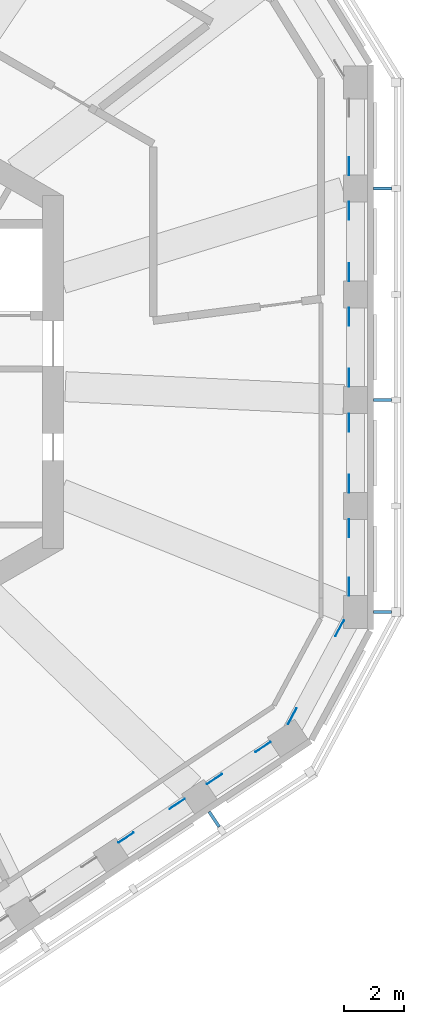
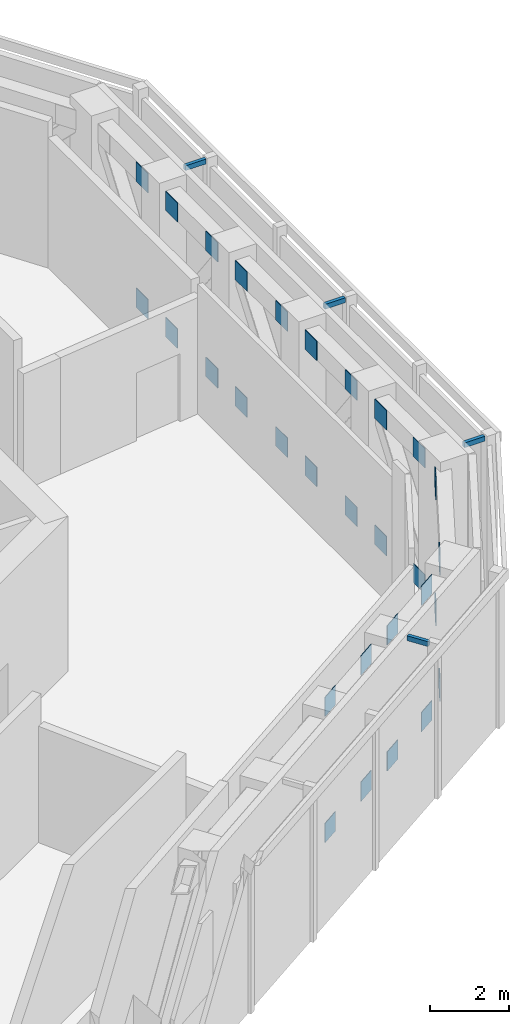
# One storey, part 12 of 14: 34 discrete accessories.
"""IFC4 building model written with IfcOpenShell, lengths in metres."""

from ifc_helpers import new_model, si_unit, direction, frame, origin, origin_2d, place, context, subcontext, project, spatial, rectangle, extrude, material, layer, layer_set, type_object, element, save


model = new_model("IFC4")

# Units and contexts
model_context = context("Model", 3, precision=1e-05, world=origin(), true_north=direction((0.0, 1.0)))
body_context = subcontext(model_context, "Body", "Model", "MODEL_VIEW")
ifc_project = project(units=[si_unit("LENGTHUNIT", "METRE"), si_unit("AREAUNIT", "SQUARE_METRE"), si_unit("VOLUMEUNIT", "CUBIC_METRE"), si_unit("PLANEANGLEUNIT", "RADIAN"), si_unit("MASSUNIT", "GRAM", prefix="KILO")], contexts=[model_context])

# Site, building, storey
site_placement = place(None, origin())
site = spatial("IfcSite", under=ifc_project, at=site_placement, CompositionType="ELEMENT")
building_placement = place(site_placement, origin())
building = spatial("IfcBuilding", under=site, at=building_placement, Name="Vanh Sen Convention Tower", CompositionType="ELEMENT")
storey_placement = place(building_placement, frame((0.0, 0.0, 255.0)))
storey = spatial("IfcBuildingStorey", under=building, at=storey_placement, Name="L63", CompositionType="ELEMENT", Elevation=255.0)

# Discrete accessories
ifc_material_1 = material(Name="Steel S355", Category="steel")
ifc_layer = layer(ifc_material_1, 0.02001953125)
ifc_layer_set = layer_set([ifc_layer], Name="Steel S355")
discrete_accessory_type_1 = type_object("IfcDiscreteAccessoryType", Name="Belt truss gusset plate 600 x 600 x 20", PredefinedType="USERDEFINED", material=ifc_layer_set)
for number, where, z_axis, x_axis, name in (
    (1, (19.739990234375, -7.15771484375, 0.0), (0.0, 0.0, 1.0), (0.0, 1.0, 0.0), "GUSSET PLATE belt truss chord bottom 01 L63 start"),
    (2, (19.739990234375, -5.214111328125, 0.0), (0.0, 0.0, 1.0), (0.0, -1.0, 0.0), "GUSSET PLATE belt truss chord bottom 01 L63 end"),
    (3, (19.739990234375, -7.15771484375, 3.89990234375), (0.0, 0.0, 1.0), (0.0, 1.0, 0.0), "GUSSET PLATE belt truss chord top 01 L63 start"),
    (4, (19.739990234375, -5.214111328125, 3.89990234375), (0.0, 0.0, 1.0), (0.0, -1.0, 0.0), "GUSSET PLATE belt truss chord top 01 L63 end"),
    (5, (19.739990234375, -3.72412109375, 0.0), (0.0, 0.0, 1.0), (0.0, 1.0, 0.0), "GUSSET PLATE belt truss chord bottom 02 L63 start"),
    (6, (19.739990234375, -1.680419921875, 0.0), (0.0, 0.0, 1.0), (0.0, -1.0, 0.0), "GUSSET PLATE belt truss chord bottom 02 L63 end"),
    (7, (19.739990234375, -3.72412109375, 3.89990234375), (0.0, 0.0, 1.0), (0.0, 1.0, 0.0), "GUSSET PLATE belt truss chord top 02 L63 start"),
    (8, (19.739990234375, -1.680419921875, 3.89990234375), (0.0, 0.0, 1.0), (0.0, -1.0, 0.0), "GUSSET PLATE belt truss chord top 02 L63 end"),
    (9, (19.739990234375, -0.1904296875, 0.0), (0.0, 0.0, 1.0), (0.0, 1.0, 0.0), "GUSSET PLATE belt truss chord bottom 03 L63 start"),
    (10, (19.739990234375, 1.85302734375, 0.0), (0.0, 0.0, 1.0), (0.0, -1.0, 0.0), "GUSSET PLATE belt truss chord bottom 03 L63 end"),
    (11, (19.739990234375, -0.1904296875, 3.89990234375), (0.0, 0.0, 1.0), (0.0, 1.0, 0.0), "GUSSET PLATE belt truss chord top 03 L63 start"),
    (12, (19.739990234375, 1.85302734375, 3.89990234375), (0.0, 0.0, 1.0), (0.0, -1.0, 0.0), "GUSSET PLATE belt truss chord top 03 L63 end"),
    (13, (19.739990234375, 3.343017578125, 0.0), (0.0, 0.0, 1.0), (0.0, 1.0, 0.0), "GUSSET PLATE belt truss chord bottom 04 L63 start"),
    (14, (19.739990234375, 5.38671875, 0.0), (0.0, 0.0, 1.0), (0.0, -1.0, 0.0), "GUSSET PLATE belt truss chord bottom 04 L63 end"),
    (15, (19.739990234375, 3.343017578125, 3.89990234375), (0.0, 0.0, 1.0), (0.0, 1.0, 0.0), "GUSSET PLATE belt truss chord top 04 L63 start"),
    (16, (19.739990234375, 5.38671875, 3.89990234375), (0.0, 0.0, 1.0), (0.0, -1.0, 0.0), "GUSSET PLATE belt truss chord top 04 L63 end"),
    (17, (19.739990234375, 6.876708984375, 0.0), (0.0, 0.0, 1.0), (0.0, 1.0, 0.0), "GUSSET PLATE belt truss chord bottom 05 L63 start"),
    (18, (19.739990234375, 6.876708984375, 3.89990234375), (0.0, 0.0, 1.0), (0.0, 1.0, 0.0), "GUSSET PLATE belt truss chord top 05 L63 start"),
    (19, (12.296630859375, -15.533447265625, 0.0), (0.0, 0.0, 1.0), (0.833874262143, 0.551954450055, 0.0), "GUSSET PLATE belt truss chord bottom 34 L63 start"),
    (20, (14.000732421875, -14.405517578125, 0.0), (0.0, 0.0, 1.0), (-0.833874262143, -0.551954450055, 0.0), "GUSSET PLATE belt truss chord bottom 34 L63 end"),
    (21, (12.296630859375, -15.533447265625, 3.89990234375), (0.0, 0.0, 1.0), (0.833874262143, 0.551954450055, 0.0), "GUSSET PLATE belt truss chord top 34 L63 start"),
    (22, (14.000732421875, -14.405517578125, 3.89990234375), (0.0, 0.0, 1.0), (-0.833874262143, -0.551954450055, 0.0), "GUSSET PLATE belt truss chord top 34 L63 end"),
    (23, (15.2431640625, -13.5830078125, 0.0), (0.0, 0.0, 1.0), (0.833896418343, 0.551920975752, 0.0), "GUSSET PLATE belt truss chord bottom 35 L63 start"),
    (24, (16.864013671875, -12.51025390625, 0.0), (0.0, 0.0, 1.0), (-0.833896418343, -0.551920975752, 0.0), "GUSSET PLATE belt truss chord bottom 35 L63 end"),
    (25, (15.2431640625, -13.5830078125, 3.89990234375), (0.0, 0.0, 1.0), (0.833896418343, 0.551920975752, 0.0), "GUSSET PLATE belt truss chord top 35 L63 start"),
    (26, (16.864013671875, -12.51025390625, 3.89990234375), (0.0, 0.0, 1.0), (-0.833896418343, -0.551920975752, 0.0), "GUSSET PLATE belt truss chord top 35 L63 end"),
    (27, (17.845458984375, -11.47607421875, 0.0), (0.0, 0.0, 1.0), (0.473311979945, 0.880894868665, 0.0), "GUSSET PLATE belt truss chord bottom 36 L63 start"),
    (28, (19.419189453125, -8.547119140625, 0.0), (0.0, 0.0, 1.0), (-0.473311979945, -0.880894868665, 0.0), "GUSSET PLATE belt truss chord bottom 36 L63 end"),
    (29, (17.845458984375, -11.47607421875, 3.89990234375), (0.0, 0.0, 1.0), (0.473311979945, 0.880894868665, 0.0), "GUSSET PLATE belt truss chord top 36 L63 start"),
    (30, (19.419189453125, -8.547119140625, 3.89990234375), (0.0, 0.0, 1.0), (-0.473311979945, -0.880894868665, 0.0), "GUSSET PLATE belt truss chord top 36 L63 end"),
):
    element("IfcDiscreteAccessory", number, at=place(storey_placement, frame(where, z_axis=z_axis, x_axis=x_axis)), inside=storey, type_object=discrete_accessory_type_1, Name=name, ObjectType="GUSSET PLATE", PredefinedType="USERDEFINED", context=body_context, shape_type="SweptSolid", body=[
        extrude(rectangle(XDim=0.60009765625, YDim=0.02001953125, at=origin_2d()), origin(), (0.0, 0.0, 1.0), 0.60009765625),
    ])
ifc_material_2 = material(Name="Steel S355", Category="steel")
discrete_accessory_type_2 = type_object("IfcDiscreteAccessoryType", Name="Fin bracket 100 x 150", PredefinedType="BRACKET", material=ifc_material_2)
for number, where, z_axis, x_axis, name in (
    (31, (20.85009765625, -8.002685546875, 4.60009765625), (0.0, 0.0, 1.0), (1.0, 0.0, 0.0), "Fin bracket E-1 L63"),
    (32, (20.85009765625, -0.935546875, 4.60009765625), (0.0, 0.0, 1.0), (1.0, 0.0, 0.0), "Fin bracket E-3 L63"),
    (33, (20.85009765625, 6.131591796875, 4.60009765625), (0.0, 0.0, 1.0), (1.0, 0.0, 0.0), "Fin bracket E-5 L63"),
    (34, (15.234619140625, -14.919921875, 4.60009765625), (0.0, 0.0, 1.0), (0.551936985312, -0.833885822067, 0.0), "Fin bracket SE-5 L63"),
):
    element("IfcDiscreteAccessory", number, at=place(storey_placement, frame(where, z_axis=z_axis, x_axis=x_axis)), inside=storey, type_object=discrete_accessory_type_2, Name=name, PredefinedType="BRACKET", context=body_context, shape_type="SweptSolid", body=[
        extrude(rectangle(XDim=0.60009765625, YDim=0.10009765625, at=origin_2d()), origin(), (0.0, 0.0, 1.0), 0.14990234375),
    ])

save(model, "model.ifc")
